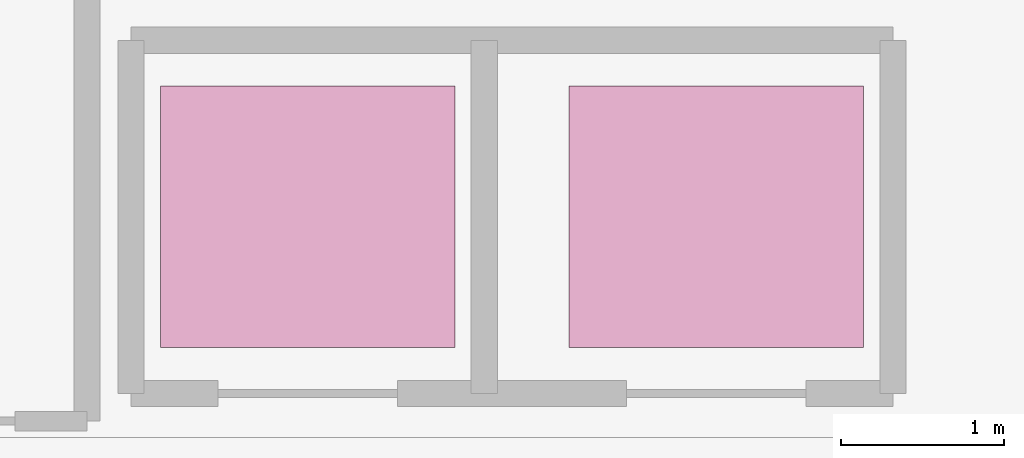
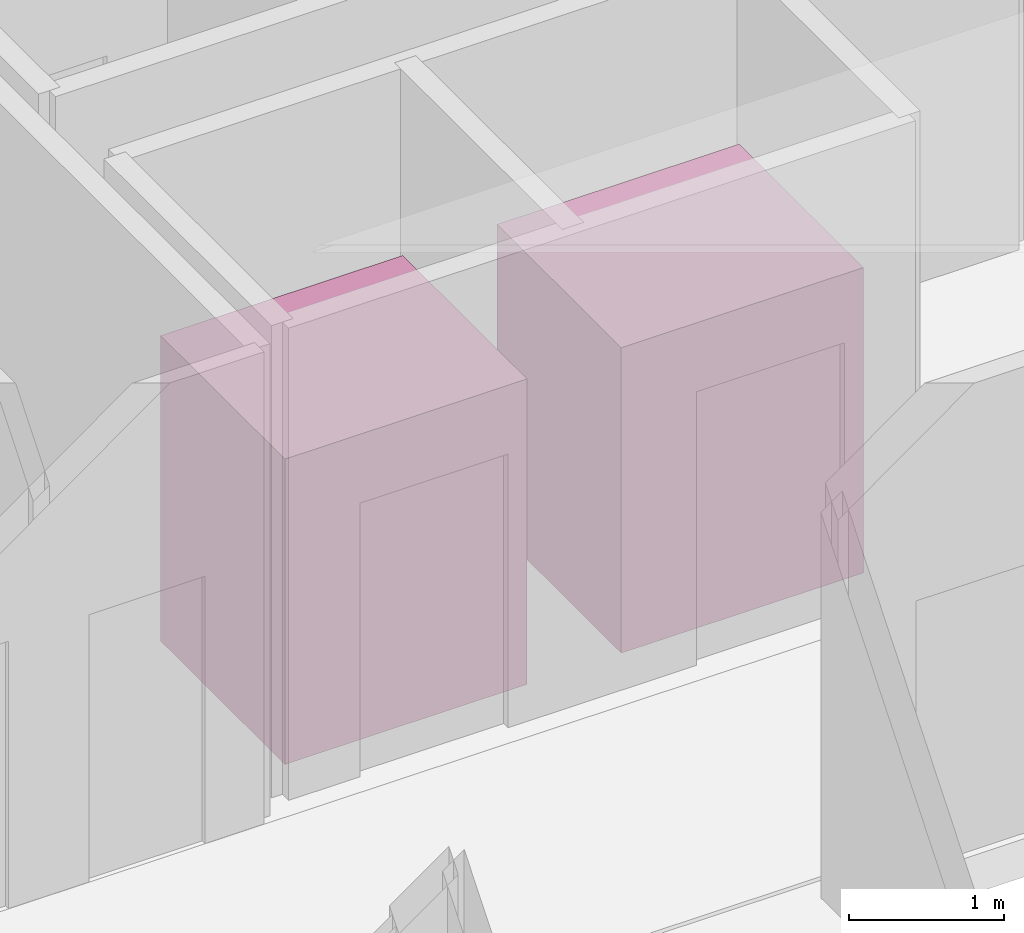
# One storey, part 39 of 39: 2 transport elements.
"""IFC4 building model written with IfcOpenShell, lengths in metres."""

from ifc_helpers import new_model, si_unit, direction, frame, origin, origin_2d, place, context, subcontext, project, spatial, rectangle, extrude, material, type_object, element, save


model = new_model("IFC4")

# Units and contexts
model_context = context("Model", 3, precision=1e-05, world=origin(), true_north=direction((0.0, 1.0)))
body_context = subcontext(model_context, "Body", "Model", "MODEL_VIEW")
ifc_project = project(units=[si_unit("LENGTHUNIT", "METRE"), si_unit("AREAUNIT", "SQUARE_METRE"), si_unit("VOLUMEUNIT", "CUBIC_METRE"), si_unit("PLANEANGLEUNIT", "RADIAN"), si_unit("MASSUNIT", "GRAM", prefix="KILO")], contexts=[model_context])

# Site, building, storey
site_placement = place(None, origin())
site = spatial("IfcSite", under=ifc_project, at=site_placement, CompositionType="ELEMENT")
building_placement = place(site_placement, origin())
building = spatial("IfcBuilding", under=site, at=building_placement, Name="Veldorina Hangang Commons", CompositionType="ELEMENT")
storey_placement = place(building_placement, frame((0.0, 0.0, 106.0)))
storey = spatial("IfcBuildingStorey", under=building, at=storey_placement, Name="L27", CompositionType="ELEMENT", Elevation=106.0)

# Transport elements
ifc_material = material(Name="Stainless Steel Brushed Cab", Category="steel")
transport_element_type = type_object("IfcTransportElementType", Name="LFT-PASS-1600", PredefinedType="ELEVATOR", material=ifc_material)
for number, where, z_axis, x_axis, name in (
    (1, (29.5, 26.5, 0.0), (0.0, 0.0, 1.0), (1.0, 0.0, 0.0), "Elevator PL-M1 (mid bank)"),
    (2, (32.0, 26.5, 0.0), (0.0, 0.0, 1.0), (1.0, 0.0, 0.0), "Elevator PL-M2 (mid bank)"),
):
    element("IfcTransportElement", number, at=place(storey_placement, frame(where, z_axis=z_axis, x_axis=x_axis)), inside=storey, type_object=transport_element_type, Name=name, PredefinedType="ELEVATOR", context=body_context, shape_type="SweptSolid", body=[
        extrude(rectangle(XDim=1.800048828125, YDim=1.60009765625, at=origin_2d()), origin(), (0.0, 0.0, 1.0), 2.39990234375),
    ])

save(model, "model.ifc")
